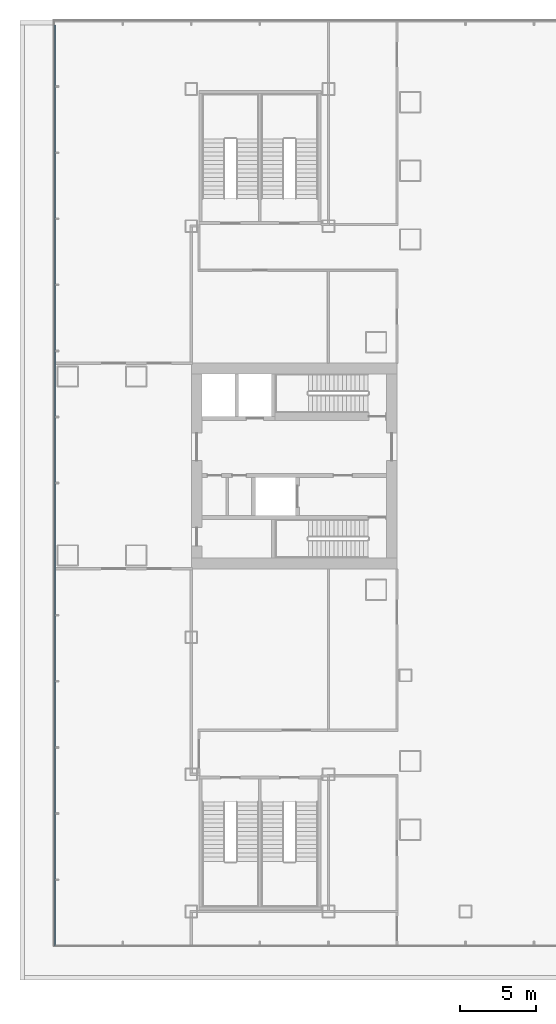
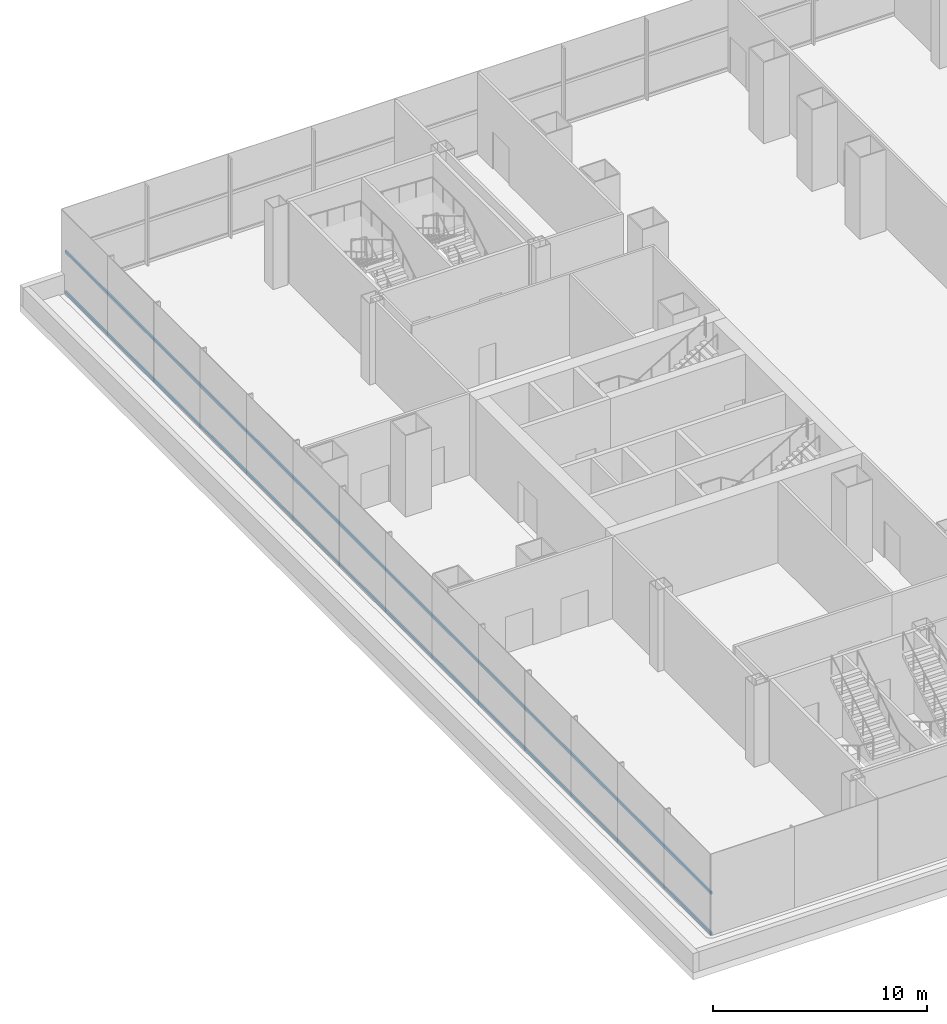
# One storey, part 5 of 30: 2 members, 1 element without a shape of its own.
"""IFC4 building model written with IfcOpenShell, lengths in metres."""

from ifc_helpers import new_model, si_unit, direction, frame, origin, origin_2d, place, context, subcontext, project, spatial, rectangle, extrude, material, layer, layer_set, material_profile, profile_set, type_object, element, aggregate, save


model = new_model("IFC4")

# Units and contexts
model_context = context("Model", 3, precision=1e-05, world=origin(), true_north=direction((0.0, 1.0)))
body_context = subcontext(model_context, "Body", "Model", "MODEL_VIEW")
ifc_project = project(units=[si_unit("LENGTHUNIT", "METRE"), si_unit("AREAUNIT", "SQUARE_METRE"), si_unit("VOLUMEUNIT", "CUBIC_METRE"), si_unit("PLANEANGLEUNIT", "RADIAN"), si_unit("MASSUNIT", "GRAM", prefix="KILO")], contexts=[model_context])

# Site, building, storey
site_placement = place(None, origin())
site = spatial("IfcSite", under=ifc_project, at=site_placement, CompositionType="ELEMENT")
building_placement = place(site_placement, origin())
building = spatial("IfcBuilding", under=site, at=building_placement, Name="Shamsa Quay Exchange Towers", CompositionType="ELEMENT")
storey_placement = place(building_placement, frame((0.0, 0.0, 23.5)))
storey = spatial("IfcBuildingStorey", under=building, at=storey_placement, Name="L04", CompositionType="ELEMENT", Elevation=23.5)

# Curtain wall, members
ifc_material = material(Name="Aluminium EN AW-6063 T6, black anodised", Category="aluminium")
ifc_layer = layer(ifc_material, 0.33203125)
ifc_layer_set = layer_set([ifc_layer], Name="CW-3 PODIUM SHOPFRONT GLAZING")
curtain_wall_type = type_object("IfcCurtainWallType", Name="CW-3 PODIUM SHOPFRONT GLAZING", PredefinedType="NOTDEFINED", material=ifc_layer_set)
curtain_wall_placement = place(storey_placement, origin())
curtain_wall = element("IfcCurtainWall", 1, at=curtain_wall_placement, inside=storey, type_object=curtain_wall_type, Name="CW3 PODIUM-L04-F02", PredefinedType="NOTDEFINED")
ifc_material_profile = material_profile(ifc_material, rectangle(XDim=0.080078125, YDim=0.159912109375, at=origin_2d()), Name="TR160x80")
ifc_profile_set = profile_set([ifc_material_profile], Name="Aluminium EN AW-6063 T6, black anodised")
member_type = type_object("IfcMemberType", Name="CW3 TRANSOM 160x80", PredefinedType="USERDEFINED", material=ifc_profile_set)
member_1_placement = place(storey_placement, frame((-62.9599609375, 28.947998046875, 0.080078125), z_axis=(0.0, -1.0, 0.0), x_axis=(1.0, 0.0, 0.0)))
member_1 = element("IfcMember", 2, at=member_1_placement, type_object=member_type, Name="CW3 transom", ObjectType="TRANSOM", PredefinedType="USERDEFINED", context=body_context, shape_type="SweptSolid", body=[
    extrude(rectangle(XDim=0.080078125, YDim=0.159912109375, at=origin_2d()), origin(), (0.0, 0.0, 1.0), 60.447998046875),
])
member_2_placement = place(storey_placement, frame((-62.9599609375, 28.947998046875, 2.405029296875), z_axis=(0.0, -1.0, 0.0), x_axis=(1.0, 0.0, 0.0)))
member_2 = element("IfcMember", 3, at=member_2_placement, type_object=member_type, Name="CW3 transom", ObjectType="TRANSOM", PredefinedType="USERDEFINED", context=body_context, shape_type="SweptSolid", body=[
    extrude(rectangle(XDim=0.080078125, YDim=0.159912109375, at=origin_2d()), origin(), (0.0, 0.0, 1.0), 60.447998046875),
])
aggregate(curtain_wall, [member_1, member_2])

save(model, "model.ifc")
